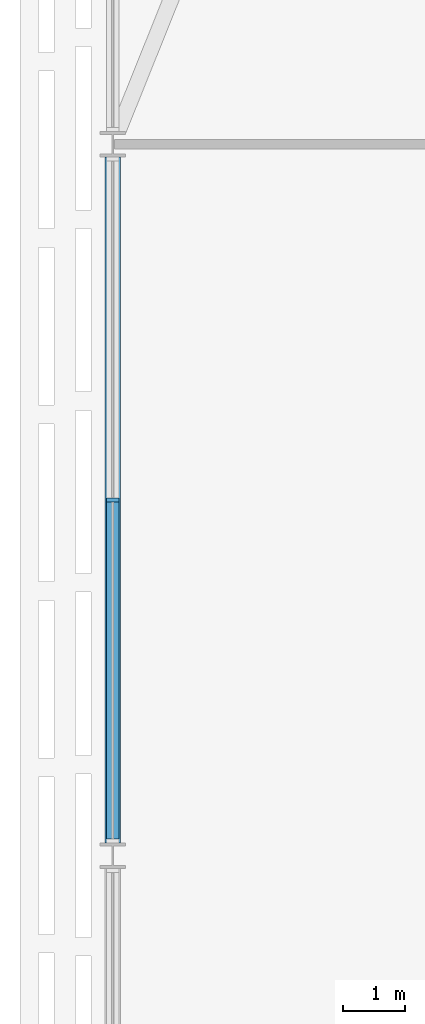
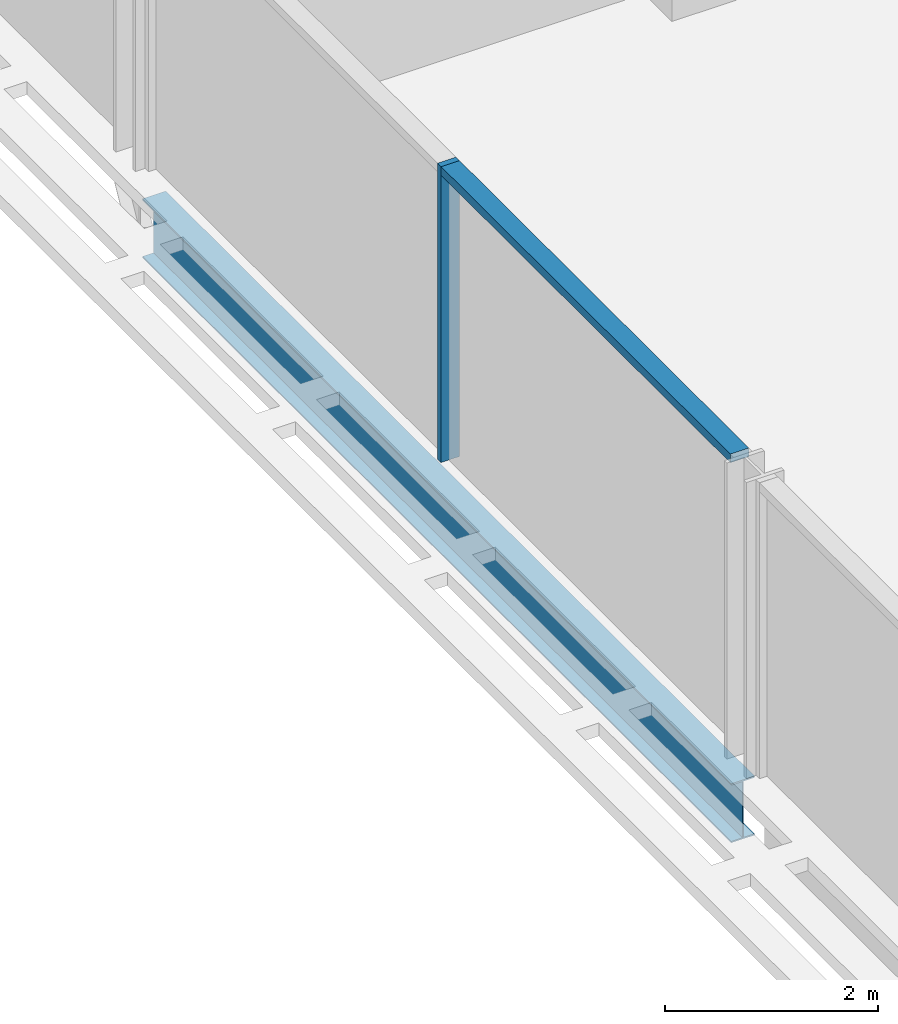
# One storey, part 4 of 28: 2 members, 1 beam, 1 element without a shape of its own.
"""IFC4 building model written with IfcOpenShell, lengths in metres."""

from ifc_helpers import new_model, si_unit, direction, frame, origin, origin_2d, place, context, subcontext, project, spatial, rectangle, i_section, extrude, material, material_profile, profile_set, type_object, element, aggregate, save


model = new_model("IFC4")

# Units and contexts
model_context = context("Model", 3, precision=1e-05, world=origin(), true_north=direction((0.0, 1.0)))
body_context = subcontext(model_context, "Body", "Model", "MODEL_VIEW")
ifc_project = project(units=[si_unit("LENGTHUNIT", "METRE"), si_unit("AREAUNIT", "SQUARE_METRE"), si_unit("VOLUMEUNIT", "CUBIC_METRE"), si_unit("PLANEANGLEUNIT", "RADIAN"), si_unit("MASSUNIT", "GRAM", prefix="KILO")], contexts=[model_context])

# Site, building, storey
site_placement = place(None, origin())
site = spatial("IfcSite", under=ifc_project, at=site_placement, CompositionType="ELEMENT")
building_placement = place(site_placement, origin())
building = spatial("IfcBuilding", under=site, at=building_placement, Name="Mahtab Terrace Research Tower", CompositionType="ELEMENT")
storey_placement = place(building_placement, frame((0.0, 0.0, 185.800048828125)))
storey = spatial("IfcBuildingStorey", under=building, at=storey_placement, Name="L44", CompositionType="ELEMENT", Elevation=185.800048828125)

# Curtain wall, members
ifc_material_1 = material(Name="Laboratory ribbon curtain wall")
curtain_wall_type = type_object("IfcCurtainWallType", Name="Laboratory ribbon curtain wall", PredefinedType="NOTDEFINED", material=ifc_material_1)
curtain_wall_placement = place(storey_placement, origin())
curtain_wall = element("IfcCurtainWall", 1, at=curtain_wall_placement, inside=storey, type_object=curtain_wall_type, Name="EN.L44.8.16", PredefinedType="NOTDEFINED")
ifc_material_2 = material(Name="Natural anodised aluminium", Category="aluminium")
ifc_material_profile_1 = material_profile(ifc_material_2, rectangle(XDim=0.199951171875, YDim=0.06494140625, at=origin_2d()), Name="MULLION 65x200")
ifc_profile_set_1 = profile_set([ifc_material_profile_1], Name="Natural anodised aluminium")
member_type_1 = type_object("IfcMemberType", Name="Laboratory ribbon curtain wall mullion", PredefinedType="MULLION", material=ifc_profile_set_1)
member_1_placement = place(storey_placement, frame((-48.0, 5.75, 0.0), z_axis=(0.0, 0.0, 1.0), x_axis=(1.0, 0.0, 0.0)))
member_1 = element("IfcMember", 2, at=member_1_placement, type_object=member_type_1, Name="CWL-5 mullion 2", PredefinedType="MULLION", context=body_context, shape_type="SweptSolid", body=[
    extrude(rectangle(XDim=0.199951171875, YDim=0.06494140625, at=origin_2d()), origin(), (0.0, 0.0, 1.0), 3.39990234375),
])
ifc_material_profile_2 = material_profile(ifc_material_2, rectangle(XDim=0.199951171875, YDim=0.10009765625, at=origin_2d()), Name="TRANSOM 100x200")
ifc_profile_set_2 = profile_set([ifc_material_profile_2], Name="Natural anodised aluminium")
member_type_2 = type_object("IfcMemberType", Name="Laboratory ribbon curtain wall transom", PredefinedType="USERDEFINED", material=ifc_profile_set_2)
member_2_placement = place(storey_placement, frame((-48.0, 5.717529296875, 3.349853515625), z_axis=(0.0, -1.0, 0.0), x_axis=(1.0, 0.0, 0.0)))
member_2 = element("IfcMember", 3, at=member_2_placement, type_object=member_type_2, Name="CWL-5 transom 2", ObjectType="TRANSOM", PredefinedType="USERDEFINED", context=body_context, shape_type="SweptSolid", body=[
    extrude(rectangle(XDim=0.199951171875, YDim=0.10009765625, at=origin_2d()), origin(), (0.0, 0.0, 1.0), 5.444580078125),
])
aggregate(curtain_wall, [member_1, member_2])

# Beam
ifc_material_3 = material(Name="Steel ASTM A992 Gr 50", Category="steel")
ifc_material_profile_3 = material_profile(ifc_material_3, i_section(OverallWidth=0.25390625, OverallDepth=0.67822265625, WebThickness=0.01171875, FlangeThickness=0.016357421875, at=origin_2d()), Name="W27X84")
ifc_profile_set_3 = profile_set([ifc_material_profile_3], Name="Steel ASTM A992 Gr 50")
beam_type = type_object("IfcBeamType", Name="W27x84 beam BS2784", PredefinedType="BEAM", material=ifc_profile_set_3)
beam_placement = place(storey_placement, frame((-48.0, 11.291748046875, -0.67919921875), z_axis=(0.0, -1.0, 0.0), x_axis=(1.0, 0.0, 0.0)))
element("IfcBeam", 4, at=beam_placement, inside=storey, type_object=beam_type, Name="Spandrel beam L44 09", PredefinedType="BEAM", context=body_context, shape_type="SweptSolid", body=[
    extrude(i_section(OverallWidth=0.25390625, OverallDepth=0.67822265625, WebThickness=0.01171875, FlangeThickness=0.016357421875, at=origin_2d()), origin(), (0.0, 0.0, 1.0), 11.08349609375),
])

save(model, "model.ifc")
